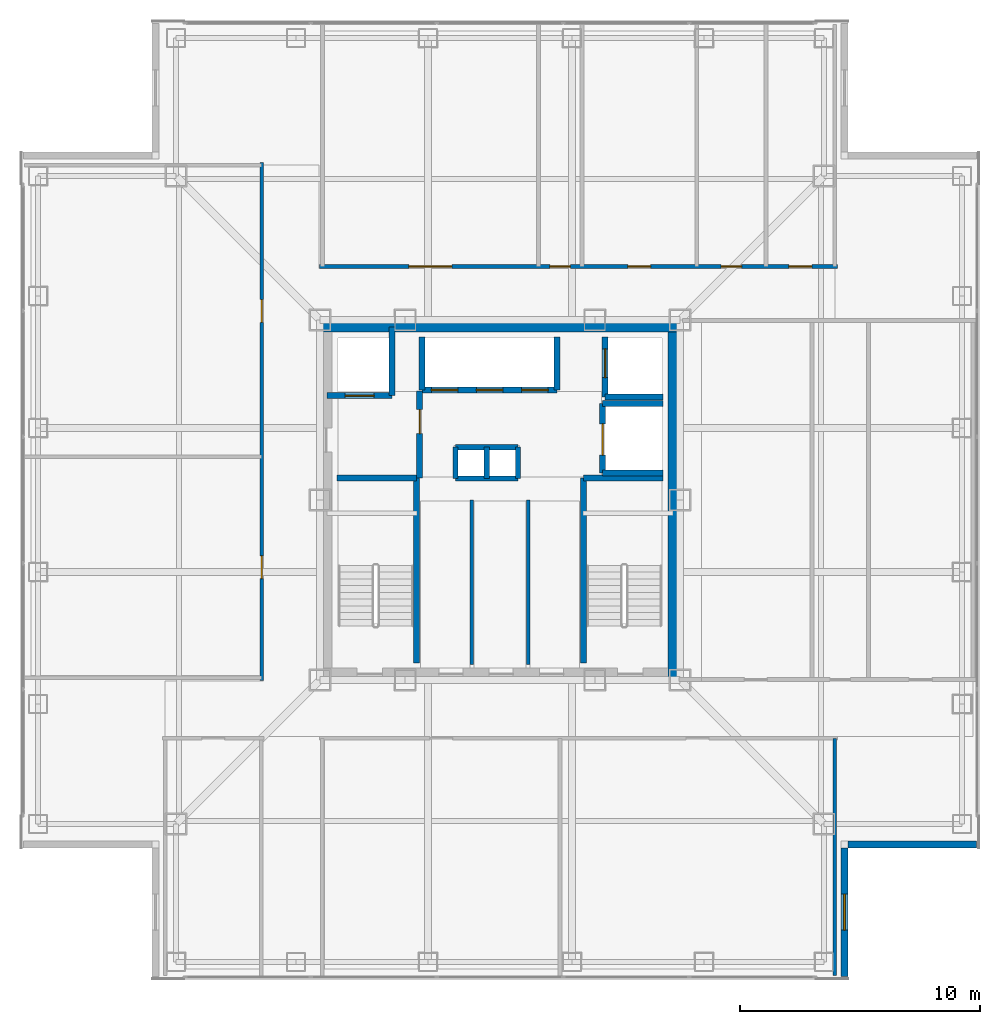
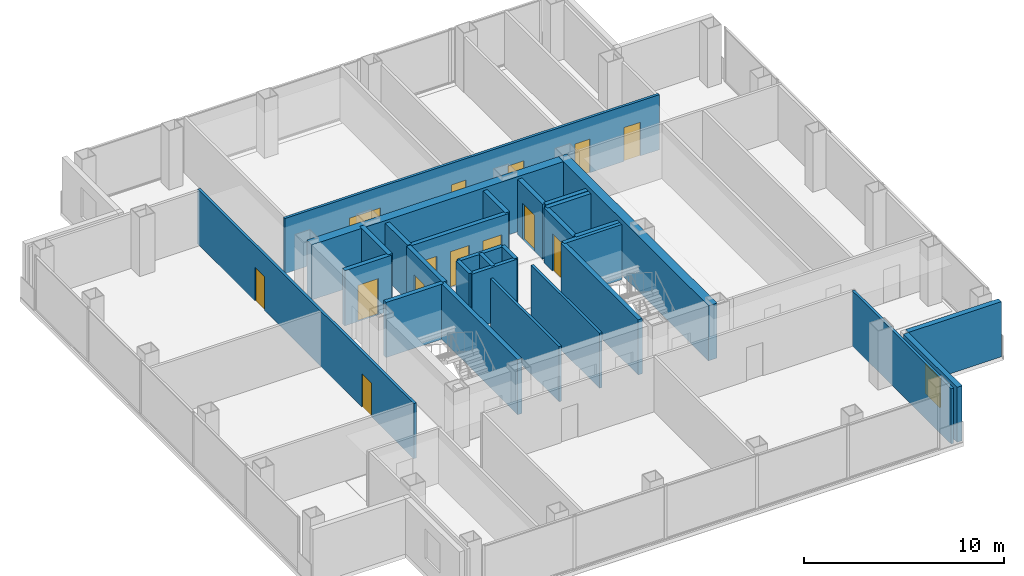
# One storey, part 11 of 18: 29 walls, 14 doors, 1 window, 15 openings.
"""IFC4 building model written with IfcOpenShell, lengths in metres."""

from ifc_helpers import new_model, si_unit, direction, frame, frame_2d, origin, place, context, subcontext, project, spatial, rectangle, extrude, material, layer, layer_set, type_object, element, fill, save


model = new_model("IFC4")

# Units and contexts
model_context = context("Model", 3, precision=1e-05, world=origin(), true_north=direction((0.0, 1.0)))
body_context = subcontext(model_context, "Body", "Model", "MODEL_VIEW")
ifc_project = project(units=[si_unit("LENGTHUNIT", "METRE"), si_unit("AREAUNIT", "SQUARE_METRE"), si_unit("VOLUMEUNIT", "CUBIC_METRE"), si_unit("PLANEANGLEUNIT", "RADIAN"), si_unit("MASSUNIT", "GRAM", prefix="KILO")], contexts=[model_context])

# Site, building, storey
site_placement = place(None, origin())
site = spatial("IfcSite", under=ifc_project, at=site_placement, CompositionType="ELEMENT")
building_placement = place(site_placement, origin())
building = spatial("IfcBuilding", under=site, at=building_placement, Name="Trevonay Congress Spire", CompositionType="ELEMENT")
storey_placement = place(building_placement, frame((0.0, 0.0, 220.199951171875)))
storey = spatial("IfcBuildingStorey", under=building, at=storey_placement, Name="L57", CompositionType="ELEMENT", Elevation=220.199951171875)

# Walls
ifc_material_1 = material(Name="Concrete C50/60", Category="concrete")
ifc_layer_1 = layer(ifc_material_1, 0.5, Name="Concrete C50/60")
ifc_layer_set_1 = layer_set([ifc_layer_1], Name="Concrete C50/60")
wall_type_1 = type_object("IfcWallType", Name="WAL-CORE-500", PredefinedType="SHEAR", material=ifc_layer_set_1)
for number, where, z_axis, x_axis, name in (
    (1, (-7.5, 7.25, 0.0), (0.0, 0.0, 1.0), (1.0, 0.0, 0.0), "L57 North structural core shear wall"),
    (2, (7.25, -7.5, 0.0), (0.0, 0.0, 1.0), (0.0, 1.0, 0.0), "L57 East structural core shear wall"),
):
    element("IfcWall", number, at=place(storey_placement, frame(where, z_axis=z_axis, x_axis=x_axis)), inside=storey, type_object=wall_type_1, Name=name, PredefinedType="SHEAR", context=body_context, shape_type="SweptSolid", body=[
        extrude(rectangle(XDim=15.0, YDim=0.5, at=frame_2d((7.5, 0.0))), origin(), (0.0, 0.0, 1.0), 3.360107421875),
    ])

# Wall, openings, doors
ifc_material_2 = material(Name="Concrete C40/50", Category="concrete")
ifc_layer_2 = layer(ifc_material_2, 0.14990234375, Name="Concrete C40/50")
ifc_layer_set_2 = layer_set([ifc_layer_2], Name="Concrete C40/50")
wall_type_2 = type_object("IfcWallType", Name="WAL-CORR-150", PredefinedType="PARTITIONING", material=ifc_layer_set_2)
wall_1_placement = place(storey_placement, frame((-9.929931640625, -7.52001953125, 0.0), z_axis=(0.0, 0.0, 1.0), x_axis=(0.0, 1.0, 0.0)))
wall_1 = element("IfcWall", 3, at=wall_1_placement, inside=storey, type_object=wall_type_2, Name="L57 interior wall WP-L57NW-COR", PredefinedType="PARTITIONING", context=body_context, shape_type="SweptSolid", body=[
    extrude(rectangle(XDim=21.590087890625, YDim=0.14990234375, at=frame_2d((10.794921875, 0.0))), origin(), (0.0, 0.0, 1.0), 3.360107421875),
])
opening_1_placement = place(wall_1_placement, frame((4.2451171875, 0.0, 0.0)))
opening_1 = element("IfcOpeningElement", 4, at=opening_1_placement, cuts=wall_1, Name="Opening D07", PredefinedType="OPENING", context=body_context, shape_type="SweptSolid", body=[
    extrude(rectangle(XDim=0.949951171875, YDim=2.06005859375, at=frame_2d((0.47509765625, 1.030029296875))), frame((0.0, 0.0849609375, 0.0), z_axis=(0.0, -1.0, 0.0), x_axis=(1.0, 0.0, 0.0)), (0.0, 0.0, 1.0), 0.169921875),
])
opening_2_placement = place(wall_1_placement, frame((14.919921875, 0.0, 0.0)))
opening_2 = element("IfcOpeningElement", 5, at=opening_2_placement, cuts=wall_1, Name="Opening D07", PredefinedType="OPENING", context=body_context, shape_type="SweptSolid", body=[
    extrude(rectangle(XDim=0.949951171875, YDim=2.06005859375, at=frame_2d((0.47509765625, 1.030029296875))), frame((0.0, 0.0849609375, 0.0), z_axis=(0.0, -1.0, 0.0), x_axis=(1.0, 0.0, 0.0)), (0.0, 0.0, 1.0), 0.169921875),
])
ifc_material_3 = material(Name="Pale Anodised Aluminium EN AW-6063-T6", Category="aluminium")
door_type_1 = type_object("IfcDoorType", Name="DOR-OFFICE-95", OperationType="NOTDEFINED", PredefinedType="DOOR", material=ifc_material_3)
door_1_placement = place(opening_1_placement, origin())
door_1 = element("IfcDoor", 6, at=door_1_placement, inside=storey, type_object=door_type_1, Name="L57 Architectural Stone Gallery Shop Door", OperationType="SINGLE_SWING_LEFT", OverallHeight=2.06005859375, OverallWidth=0.949951171875, PredefinedType="DOOR", context=body_context, shape_type="SweptSolid", body=[
    extrude(rectangle(XDim=0.949951171875, YDim=2.06005859375, at=frame_2d((0.47509765625, 1.030029296875))), frame((0.0, 0.02490234375, 0.0), z_axis=(0.0, -1.0, 0.0), x_axis=(1.0, 0.0, 0.0)), (0.0, 0.0, 1.0), 0.050048828125),
])
fill(opening_1, door_1)
door_2_placement = place(opening_2_placement, origin())
door_2 = element("IfcDoor", 7, at=door_2_placement, inside=storey, type_object=door_type_1, Name="L57 Marine Instruments Showroom Shop Door", OperationType="SINGLE_SWING_RIGHT", OverallHeight=2.06005859375, OverallWidth=0.949951171875, PredefinedType="DOOR", context=body_context, shape_type="SweptSolid", body=[
    extrude(rectangle(XDim=0.949951171875, YDim=2.06005859375, at=frame_2d((0.47509765625, 1.030029296875))), frame((0.0, 0.02490234375, 0.0), z_axis=(0.0, -1.0, 0.0), x_axis=(1.0, 0.0, 0.0)), (0.0, 0.0, 1.0), 0.050048828125),
])
fill(opening_2, door_2)

wall_2_placement = place(storey_placement, frame((-7.52001953125, 9.72998046875, 0.0), z_axis=(0.0, 0.0, 1.0), x_axis=(1.0, 0.0, 0.0)))
wall_2 = element("IfcWall", 8, at=wall_2_placement, inside=storey, type_object=wall_type_2, Name="L57 interior wall WP-L57N-COR", PredefinedType="PARTITIONING", context=body_context, shape_type="SweptSolid", body=[
    extrude(rectangle(XDim=21.590087890625, YDim=0.14990234375, at=frame_2d((10.794921875, 0.0))), origin(), (0.0, 0.0, 1.0), 3.360107421875),
])
opening_3_placement = place(wall_2_placement, frame((3.719970703125, 0.0, 0.0)))
opening_3 = element("IfcOpeningElement", 9, at=opening_3_placement, cuts=wall_2, Name="Opening D09", PredefinedType="OPENING", context=body_context, shape_type="SweptSolid", body=[
    extrude(rectangle(XDim=1.800048828125, YDim=2.080078125, at=frame_2d((0.89990234375, 1.0400390625))), frame((0.0, 0.0849609375, 0.0), z_axis=(0.0, -1.0, 0.0), x_axis=(1.0, 0.0, 0.0)), (0.0, 0.0, 1.0), 0.169921875),
])
opening_4_placement = place(wall_2_placement, frame((9.60009765625, 0.0, 0.0)))
opening_4 = element("IfcOpeningElement", 10, at=opening_4_placement, cuts=wall_2, Name="Opening D10", PredefinedType="OPENING", context=body_context, shape_type="SweptSolid", body=[
    extrude(rectangle(XDim=0.85009765625, YDim=2.050048828125, at=frame_2d((0.425048828125, 1.02490234375))), frame((0.0, 0.0849609375, 0.0), z_axis=(0.0, -1.0, 0.0), x_axis=(1.0, 0.0, 0.0)), (0.0, 0.0, 1.0), 0.169921875),
])
opening_5_placement = place(wall_2_placement, frame((12.85009765625, 0.0, 0.0)))
opening_5 = element("IfcOpeningElement", 11, at=opening_5_placement, cuts=wall_2, Name="Opening D07", PredefinedType="OPENING", context=body_context, shape_type="SweptSolid", body=[
    extrude(rectangle(XDim=0.949951171875, YDim=2.06005859375, at=frame_2d((0.47509765625, 1.030029296875))), frame((0.0, 0.0849609375, 0.0), z_axis=(0.0, -1.0, 0.0), x_axis=(1.0, 0.0, 0.0)), (0.0, 0.0, 1.0), 0.169921875),
])
opening_6_placement = place(wall_2_placement, frame((16.735107421875, 0.0, 0.0)))
opening_6 = element("IfcOpeningElement", 12, at=opening_6_placement, cuts=wall_2, Name="Opening D10", PredefinedType="OPENING", context=body_context, shape_type="SweptSolid", body=[
    extrude(rectangle(XDim=0.85009765625, YDim=2.050048828125, at=frame_2d((0.425048828125, 1.02490234375))), frame((0.0, 0.0849609375, 0.0), z_axis=(0.0, -1.0, 0.0), x_axis=(1.0, 0.0, 0.0)), (0.0, 0.0, 1.0), 0.169921875),
])
opening_7_placement = place(wall_2_placement, frame((19.56005859375, 0.0, 0.0)))
opening_7 = element("IfcOpeningElement", 13, at=opening_7_placement, cuts=wall_2, Name="Opening D07", PredefinedType="OPENING", context=body_context, shape_type="SweptSolid", body=[
    extrude(rectangle(XDim=0.949951171875, YDim=2.06005859375, at=frame_2d((0.47509765625, 1.030029296875))), frame((0.0, 0.0849609375, 0.0), z_axis=(0.0, -1.0, 0.0), x_axis=(1.0, 0.0, 0.0)), (0.0, 0.0, 1.0), 0.169921875),
])
door_type_2 = type_object("IfcDoorType", Name="DOR-CONF-DBL", OperationType="DOUBLE_DOOR_SINGLE_SWING", PredefinedType="DOOR", material=ifc_material_3)
door_3_placement = place(opening_3_placement, origin())
door_3 = element("IfcDoor", 14, at=door_3_placement, inside=storey, type_object=door_type_2, Name="L57 Showroom Cafe Restaurant Door", OperationType="DOUBLE_DOOR_SINGLE_SWING", OverallHeight=2.080078125, OverallWidth=1.800048828125, PredefinedType="DOOR", context=body_context, shape_type="SweptSolid", body=[
    extrude(rectangle(XDim=1.800048828125, YDim=2.080078125, at=frame_2d((0.89990234375, 1.0400390625))), frame((0.0, 0.02490234375, 0.0), z_axis=(0.0, -1.0, 0.0), x_axis=(1.0, 0.0, 0.0)), (0.0, 0.0, 1.0), 0.050048828125),
])
fill(opening_3, door_3)
door_4_placement = place(opening_5_placement, origin())
door_4 = element("IfcDoor", 15, at=door_4_placement, inside=storey, type_object=door_type_1, Name="L57 Floor Supplies and Copy Room Door", OperationType="SINGLE_SWING_RIGHT", OverallHeight=2.06005859375, OverallWidth=0.949951171875, PredefinedType="DOOR", context=body_context, shape_type="SweptSolid", body=[
    extrude(rectangle(XDim=0.949951171875, YDim=2.06005859375, at=frame_2d((0.47509765625, 1.030029296875))), frame((0.0, 0.02490234375, 0.0), z_axis=(0.0, -1.0, 0.0), x_axis=(1.0, 0.0, 0.0)), (0.0, 0.0, 1.0), 0.050048828125),
])
fill(opening_5, door_4)
door_5_placement = place(opening_7_placement, origin())
door_5 = element("IfcDoor", 16, at=door_5_placement, inside=storey, type_object=door_type_1, Name="L57 Floor Supplies and Copy Room Door", OperationType="SINGLE_SWING_RIGHT", OverallHeight=2.06005859375, OverallWidth=0.949951171875, PredefinedType="DOOR", context=body_context, shape_type="SweptSolid", body=[
    extrude(rectangle(XDim=0.949951171875, YDim=2.06005859375, at=frame_2d((0.47509765625, 1.030029296875))), frame((0.0, 0.02490234375, 0.0), z_axis=(0.0, -1.0, 0.0), x_axis=(1.0, 0.0, 0.0)), (0.0, 0.0, 1.0), 0.050048828125),
])
fill(opening_7, door_5)
door_type_3 = type_object("IfcDoorType", Name="DOR-WC-85", OperationType="NOTDEFINED", PredefinedType="DOOR", material=ifc_material_3)
door_6_placement = place(opening_4_placement, origin())
door_6 = element("IfcDoor", 17, at=door_6_placement, inside=storey, type_object=door_type_3, Name="L57 Accessible WC Door", OperationType="SINGLE_SWING_LEFT", OverallHeight=2.050048828125, OverallWidth=0.85009765625, PredefinedType="DOOR", context=body_context, shape_type="SweptSolid", body=[
    extrude(rectangle(XDim=0.85009765625, YDim=2.050048828125, at=frame_2d((0.425048828125, 1.02490234375))), frame((0.0, 0.02490234375, 0.0), z_axis=(0.0, -1.0, 0.0), x_axis=(1.0, 0.0, 0.0)), (0.0, 0.0, 1.0), 0.050048828125),
])
fill(opening_4, door_6)
door_7_placement = place(opening_6_placement, origin())
door_7 = element("IfcDoor", 18, at=door_7_placement, inside=storey, type_object=door_type_3, Name="L57 Female Restroom WC Door", OperationType="SINGLE_SWING_LEFT", OverallHeight=2.050048828125, OverallWidth=0.85009765625, PredefinedType="DOOR", context=body_context, shape_type="SweptSolid", body=[
    extrude(rectangle(XDim=0.85009765625, YDim=2.050048828125, at=frame_2d((0.425048828125, 1.02490234375))), frame((0.0, 0.02490234375, 0.0), z_axis=(0.0, -1.0, 0.0), x_axis=(1.0, 0.0, 0.0)), (0.0, 0.0, 1.0), 0.050048828125),
])
fill(opening_6, door_7)

# Wall, opening, window
ifc_material_4 = material(Name="Precast concrete C40/50", Category="concrete")
ifc_layer_3 = layer(ifc_material_4, 0.300048828125, Name="Precast concrete C40/50")
ifc_layer_set_3 = layer_set([ifc_layer_3], Name="Precast concrete C40/50")
wall_type_3 = type_object("IfcWallType", Name="WAL-EXT-PRECAST-300", PredefinedType="SOLIDWALL", material=ifc_layer_set_3)
wall_3_placement = place(storey_placement, frame((14.35009765625, -19.85009765625, 0.0), z_axis=(0.0, 0.0, 1.0), x_axis=(0.0, 1.0, 0.0)))
wall_3 = element("IfcWall", 19, at=wall_3_placement, inside=storey, type_object=wall_type_3, Name="L57 SE re-entrant notch exterior wall 1", PredefinedType="SOLIDWALL", context=body_context, shape_type="SweptSolid", body=[
    extrude(rectangle(XDim=5.35009765625, YDim=0.300048828125, at=frame_2d((2.675048828125, 0.0))), origin(), (0.0, 0.0, 1.0), 3.360107421875),
])
opening_8_placement = place(wall_3_placement, frame((1.925048828125, 0.0, 0.89990234375)))
opening_8 = element("IfcOpeningElement", 20, at=opening_8_placement, cuts=wall_3, Name="Opening WN03", PredefinedType="OPENING", context=body_context, shape_type="SweptSolid", body=[
    extrude(rectangle(XDim=1.5, YDim=1.800048828125, at=frame_2d((0.75, 0.89990234375))), frame((0.0, 0.16015625, 0.0), z_axis=(0.0, -1.0, 0.0), x_axis=(1.0, 0.0, 0.0)), (0.0, 0.0, 1.0), 0.320068359375),
])
ifc_material_5 = material(Name="Insulated Low-E Vision Glass IGU", Category="glass")
window_type = type_object("IfcWindowType", Name="WIN-NOTCH-150X180", PartitioningType="SINGLE_PANEL", PredefinedType="WINDOW", material=ifc_material_5)
window_placement = place(opening_8_placement, origin())
window = element("IfcWindow", 21, at=window_placement, inside=storey, type_object=window_type, Name="L57 SE corner notch window", OverallHeight=1.800048828125, OverallWidth=1.5, PartitioningType="SINGLE_PANEL", PredefinedType="WINDOW", context=body_context, shape_type="SweptSolid", body=[
    extrude(rectangle(XDim=1.5, YDim=1.800048828125, at=frame_2d((0.75, 0.89990234375))), frame((0.0, 0.030029296875, 0.0), z_axis=(0.0, -1.0, 0.0), x_axis=(1.0, 0.0, 0.0)), (0.0, 0.0, 1.0), 0.06005859375),
])
fill(opening_8, window)

# Walls
wall_4_placement = place(storey_placement, frame((19.85009765625, -14.35009765625, 0.0), z_axis=(0.0, 0.0, 1.0), x_axis=(-1.0, 0.0, 0.0)))
element("IfcWall", 22, at=wall_4_placement, inside=storey, type_object=wall_type_3, Name="L57 SE re-entrant notch exterior wall 2", PredefinedType="SOLIDWALL", context=body_context, shape_type="SweptSolid", body=[
    extrude(rectangle(XDim=5.35009765625, YDim=0.300048828125, at=frame_2d((2.675048828125, 0.0))), origin(), (0.0, 0.0, 1.0), 3.360107421875),
])
ifc_layer_4 = layer(ifc_material_2, 0.14990234375, Name="Concrete C40/50")
ifc_layer_set_4 = layer_set([ifc_layer_4], Name="Concrete C40/50")
wall_type_4 = type_object("IfcWallType", Name="WAL-PART-150", PredefinedType="PARTITIONING", material=ifc_layer_set_4)
for number, where, z_axis, x_axis, name in (
    (23, (-1.169921875, -6.85009765625, 0.0), (0.0, 0.0, 1.0), (0.0, 1.0, 0.0), "L57 interior wall CW-F2A-L57"),
    (24, (1.169921875, -6.85009765625, 0.0), (0.0, 0.0, 1.0), (0.0, 1.0, 0.0), "L57 interior wall CW-F2B-L57"),
):
    element("IfcWall", number, at=place(storey_placement, frame(where, z_axis=z_axis, x_axis=x_axis)), inside=storey, type_object=wall_type_4, Name=name, PredefinedType="PARTITIONING", context=body_context, shape_type="SweptSolid", body=[
        extrude(rectangle(XDim=6.85009765625, YDim=0.14990234375, at=frame_2d((3.425048828125, 0.0))), origin(), (0.0, 0.0, 1.0), 3.360107421875),
    ])
wall_5_placement = place(storey_placement, frame((13.949951171875, -19.820068359375, 0.0), z_axis=(0.0, 0.0, 1.0), x_axis=(0.0, 1.0, 0.0)))
element("IfcWall", 25, at=wall_5_placement, inside=storey, type_object=wall_type_4, Name="L57 interior wall WP-L57SE-DIV3", PredefinedType="PARTITIONING", context=body_context, shape_type="SweptSolid", body=[
    extrude(rectangle(XDim=9.89013671875, YDim=0.14990234375, at=frame_2d((4.945068359375, 0.0))), origin(), (0.0, 0.0, 1.0), 3.360107421875),
])
ifc_layer_5 = layer(ifc_material_2, 0.219970703125, Name="Concrete C40/50")
ifc_layer_set_5 = layer_set([ifc_layer_5], Name="Concrete C40/50")
wall_type_5 = type_object("IfcWallType", Name="WAL-SHAFT-220", PredefinedType="PARTITIONING", material=ifc_layer_set_5)
for number, where, z_axis, x_axis, name in (
    (26, (-1.85009765625, 2.199951171875, 0.0), (0.0, 0.0, 1.0), (1.0, 0.0, 0.0), "L57 interior shaft wall WSH-L57-RSR-N"),
    (27, (-1.85009765625, 0.89990234375, 0.0), (0.0, 0.0, 1.0), (1.0, 0.0, 0.0), "L57 interior shaft wall WSH-L57-RSR-S"),
):
    element("IfcWall", number, at=place(storey_placement, frame(where, z_axis=z_axis, x_axis=x_axis)), inside=storey, type_object=wall_type_5, Name=name, PredefinedType="PARTITIONING", context=body_context, shape_type="SweptSolid", body=[
        extrude(rectangle(XDim=2.60009765625, YDim=0.219970703125, at=frame_2d((1.300048828125, 0.0))), origin(), (0.0, 0.0, 1.0), 3.360107421875),
    ])
for number, where, z_axis, x_axis, name in (
    (28, (-0.550048828125, 0.89990234375, 0.0), (0.0, 0.0, 1.0), (0.0, 1.0, 0.0), "L57 interior shaft wall WSH-L57-RSR-M"),
    (29, (0.75, 0.89990234375, 0.0), (0.0, 0.0, 1.0), (0.0, 1.0, 0.0), "L57 interior shaft wall WSH-L57-RSR-E"),
    (30, (-1.85009765625, 0.89990234375, 0.0), (0.0, 0.0, 1.0), (0.0, 1.0, 0.0), "L57 interior shaft wall WSH-L57-RSR-W"),
):
    element("IfcWall", number, at=place(storey_placement, frame(where, z_axis=z_axis, x_axis=x_axis)), inside=storey, type_object=wall_type_5, Name=name, PredefinedType="PARTITIONING", context=body_context, shape_type="SweptSolid", body=[
        extrude(rectangle(XDim=1.300048828125, YDim=0.219970703125, at=frame_2d((0.64990234375, 0.0))), origin(), (0.0, 0.0, 1.0), 3.360107421875),
    ])

# Wall, openings, doors
ifc_layer_6 = layer(ifc_material_2, 0.25, Name="Concrete C40/50")
ifc_layer_set_6 = layer_set([ifc_layer_6], Name="Concrete C40/50")
wall_type_6 = type_object("IfcWallType", Name="WAL-SHAFT-250", PredefinedType="SHEAR", material=ifc_layer_set_6)
wall_6_placement = place(storey_placement, frame((-3.260009765625, 4.580078125, 0.0), z_axis=(0.0, 0.0, 1.0), x_axis=(1.0, 0.0, 0.0)))
wall_6 = element("IfcWall", 31, at=wall_6_placement, inside=storey, type_object=wall_type_6, Name="L57 interior shaft wall WSH-L57-B3-S", PredefinedType="SHEAR", context=body_context, shape_type="SweptSolid", body=[
    extrude(rectangle(XDim=5.639892578125, YDim=0.25, at=frame_2d((2.81982421875, 0.0))), origin(), (0.0, 0.0, 1.0), 3.360107421875),
])
opening_9_placement = place(wall_6_placement, frame((0.39990234375, 0.0, 0.0)))
opening_9 = element("IfcOpeningElement", 32, at=opening_9_placement, cuts=wall_6, Name="Opening LD03", PredefinedType="OPENING", context=body_context, shape_type="SweptSolid", body=[
    extrude(rectangle(XDim=1.10009765625, YDim=2.199951171875, at=frame_2d((0.550048828125, 1.10009765625))), frame((0.0, 0.135009765625, 0.0), z_axis=(0.0, -1.0, 0.0), x_axis=(1.0, 0.0, 0.0)), (0.0, 0.0, 1.0), 0.27001953125),
])
opening_10_placement = place(wall_6_placement, frame((2.280029296875, 0.0, 0.0)))
opening_10 = element("IfcOpeningElement", 33, at=opening_10_placement, cuts=wall_6, Name="Opening LD03", PredefinedType="OPENING", context=body_context, shape_type="SweptSolid", body=[
    extrude(rectangle(XDim=1.10009765625, YDim=2.199951171875, at=frame_2d((0.550048828125, 1.10009765625))), frame((0.0, 0.135009765625, 0.0), z_axis=(0.0, -1.0, 0.0), x_axis=(1.0, 0.0, 0.0)), (0.0, 0.0, 1.0), 0.27001953125),
])
opening_11_placement = place(wall_6_placement, frame((4.159912109375, 0.0, 0.0)))
opening_11 = element("IfcOpeningElement", 34, at=opening_11_placement, cuts=wall_6, Name="Opening LD03", PredefinedType="OPENING", context=body_context, shape_type="SweptSolid", body=[
    extrude(rectangle(XDim=1.10009765625, YDim=2.199951171875, at=frame_2d((0.550048828125, 1.10009765625))), frame((0.0, 0.135009765625, 0.0), z_axis=(0.0, -1.0, 0.0), x_axis=(1.0, 0.0, 0.0)), (0.0, 0.0, 1.0), 0.27001953125),
])
door_type_4 = type_object("IfcDoorType", Name="DOR-LIFT-LD03", OperationType="DOUBLE_DOOR_SLIDING", PredefinedType="DOOR", material=ifc_material_3)
door_8_placement = place(opening_9_placement, origin())
door_8 = element("IfcDoor", 35, at=door_8_placement, inside=storey, type_object=door_type_4, Name="L57 Passenger lift PL-07 landing door", OperationType="DOUBLE_DOOR_SLIDING", OverallHeight=2.199951171875, OverallWidth=1.10009765625, PredefinedType="DOOR", context=body_context, shape_type="SweptSolid", body=[
    extrude(rectangle(XDim=1.10009765625, YDim=2.199951171875, at=frame_2d((0.550048828125, 1.10009765625))), frame((0.0, 0.02490234375, 0.0), z_axis=(0.0, -1.0, 0.0), x_axis=(1.0, 0.0, 0.0)), (0.0, 0.0, 1.0), 0.050048828125),
])
fill(opening_9, door_8)
door_9_placement = place(opening_10_placement, origin())
door_9 = element("IfcDoor", 36, at=door_9_placement, inside=storey, type_object=door_type_4, Name="L57 Passenger lift PL-08 landing door", OperationType="DOUBLE_DOOR_SLIDING", OverallHeight=2.199951171875, OverallWidth=1.10009765625, PredefinedType="DOOR", context=body_context, shape_type="SweptSolid", body=[
    extrude(rectangle(XDim=1.10009765625, YDim=2.199951171875, at=frame_2d((0.550048828125, 1.10009765625))), frame((0.0, 0.02490234375, 0.0), z_axis=(0.0, -1.0, 0.0), x_axis=(1.0, 0.0, 0.0)), (0.0, 0.0, 1.0), 0.050048828125),
])
fill(opening_10, door_9)
door_10_placement = place(opening_11_placement, origin())
door_10 = element("IfcDoor", 37, at=door_10_placement, inside=storey, type_object=door_type_4, Name="L57 Passenger lift PL-09 landing door", OperationType="DOUBLE_DOOR_SLIDING", OverallHeight=2.199951171875, OverallWidth=1.10009765625, PredefinedType="DOOR", context=body_context, shape_type="SweptSolid", body=[
    extrude(rectangle(XDim=1.10009765625, YDim=2.199951171875, at=frame_2d((0.550048828125, 1.10009765625))), frame((0.0, 0.02490234375, 0.0), z_axis=(0.0, -1.0, 0.0), x_axis=(1.0, 0.0, 0.0)), (0.0, 0.0, 1.0), 0.050048828125),
])
fill(opening_11, door_10)

# Walls
for number, where, z_axis, x_axis, name in (
    (38, (-3.260009765625, 4.580078125, 0.0), (0.0, 0.0, 1.0), (0.0, 1.0, 0.0), "L57 interior shaft wall WSH-L57-B3-W"),
    (39, (2.3798828125, 4.580078125, 0.0), (0.0, 0.0, 1.0), (0.0, 1.0, 0.0), "L57 interior shaft wall WSH-L57-B3-E"),
):
    element("IfcWall", number, at=place(storey_placement, frame(where, z_axis=z_axis, x_axis=x_axis)), inside=storey, type_object=wall_type_6, Name=name, PredefinedType="SHEAR", context=body_context, shape_type="SweptSolid", body=[
        extrude(rectangle(XDim=2.219970703125, YDim=0.25, at=frame_2d((1.10986328125, 0.0))), origin(), (0.0, 0.0, 1.0), 3.360107421875),
    ])

# Wall, opening, door
wall_7_placement = place(storey_placement, frame((-7.199951171875, 4.35009765625, 0.0), z_axis=(0.0, 0.0, 1.0), x_axis=(1.0, 0.0, 0.0)))
wall_7 = element("IfcWall", 40, at=wall_7_placement, inside=storey, type_object=wall_type_6, Name="L57 interior shaft wall WSH-L57-FF1-S", PredefinedType="SHEAR", context=body_context, shape_type="SweptSolid", body=[
    extrude(rectangle(XDim=2.699951171875, YDim=0.25, at=frame_2d((1.35009765625, 0.0))), origin(), (0.0, 0.0, 1.0), 3.360107421875),
])
opening_12_placement = place(wall_7_placement, frame((0.75, 0.0, 0.0)))
opening_12 = element("IfcOpeningElement", 41, at=opening_12_placement, cuts=wall_7, Name="Opening LD04", PredefinedType="OPENING", context=body_context, shape_type="SweptSolid", body=[
    extrude(rectangle(XDim=1.199951171875, YDim=2.199951171875, at=frame_2d((0.60009765625, 1.10009765625))), frame((0.0, 0.135009765625, 0.0), z_axis=(0.0, -1.0, 0.0), x_axis=(1.0, 0.0, 0.0)), (0.0, 0.0, 1.0), 0.27001953125),
])
ifc_material_6 = material(Name="Steel ASTM A572 Grade 50", Category="steel")
door_type_5 = type_object("IfcDoorType", Name="DOR-LIFT-LD04", OperationType="DOUBLE_DOOR_SLIDING", PredefinedType="DOOR", material=ifc_material_6)
door_11_placement = place(opening_12_placement, origin())
door_11 = element("IfcDoor", 42, at=door_11_placement, inside=storey, type_object=door_type_5, Name="L57 Firefighting lift FFL-01 landing door", OperationType="DOUBLE_DOOR_SLIDING", OverallHeight=2.199951171875, OverallWidth=1.199951171875, PredefinedType="DOOR", context=body_context, shape_type="SweptSolid", body=[
    extrude(rectangle(XDim=1.199951171875, YDim=2.199951171875, at=frame_2d((0.60009765625, 1.10009765625))), frame((0.0, 0.02490234375, 0.0), z_axis=(0.0, -1.0, 0.0), x_axis=(1.0, 0.0, 0.0)), (0.0, 0.0, 1.0), 0.050048828125),
])
fill(opening_12, door_11)

# Walls
wall_8_placement = place(storey_placement, frame((-4.5, 4.35009765625, 0.0), z_axis=(0.0, 0.0, 1.0), x_axis=(0.0, 1.0, 0.0)))
element("IfcWall", 43, at=wall_8_placement, inside=storey, type_object=wall_type_6, Name="L57 interior shaft wall WSH-L57-FF1-E", PredefinedType="SHEAR", context=body_context, shape_type="SweptSolid", body=[
    extrude(rectangle(XDim=2.849853515625, YDim=0.25, at=frame_2d((1.4248046875, 0.0))), origin(), (0.0, 0.0, 1.0), 3.360107421875),
])
wall_9_placement = place(storey_placement, frame((4.3798828125, 4.300048828125, 0.0), z_axis=(0.0, 0.0, 1.0), x_axis=(1.0, 0.0, 0.0)))
element("IfcWall", 44, at=wall_9_placement, inside=storey, type_object=wall_type_6, Name="L57 interior shaft wall WSH-L57-FF2-S", PredefinedType="SHEAR", context=body_context, shape_type="SweptSolid", body=[
    extrude(rectangle(XDim=2.420166015625, YDim=0.25, at=frame_2d((1.2099609375, 0.0))), origin(), (0.0, 0.0, 1.0), 3.360107421875),
])

# Wall, opening, door
wall_10_placement = place(storey_placement, frame((4.3798828125, 4.300048828125, 0.0), z_axis=(0.0, 0.0, 1.0), x_axis=(0.0, 1.0, 0.0)))
wall_10 = element("IfcWall", 45, at=wall_10_placement, inside=storey, type_object=wall_type_6, Name="L57 interior shaft wall WSH-L57-FF2-W", PredefinedType="SHEAR", context=body_context, shape_type="SweptSolid", body=[
    extrude(rectangle(XDim=2.5, YDim=0.25, at=frame_2d((1.25, 0.0))), origin(), (0.0, 0.0, 1.0), 3.360107421875),
])
opening_13_placement = place(wall_10_placement, frame((0.800048828125, 0.0, 0.0)))
opening_13 = element("IfcOpeningElement", 46, at=opening_13_placement, cuts=wall_10, Name="Opening LD04", PredefinedType="OPENING", context=body_context, shape_type="SweptSolid", body=[
    extrude(rectangle(XDim=1.199951171875, YDim=2.199951171875, at=frame_2d((0.60009765625, 1.10009765625))), frame((0.0, 0.135009765625, 0.0), z_axis=(0.0, -1.0, 0.0), x_axis=(1.0, 0.0, 0.0)), (0.0, 0.0, 1.0), 0.27001953125),
])
door_12_placement = place(opening_13_placement, origin())
door_12 = element("IfcDoor", 47, at=door_12_placement, inside=storey, type_object=door_type_5, Name="L57 Firefighting lift FFL-02 landing door", OperationType="DOUBLE_DOOR_SLIDING", OverallHeight=2.199951171875, OverallWidth=1.199951171875, PredefinedType="DOOR", context=body_context, shape_type="SweptSolid", body=[
    extrude(rectangle(XDim=1.199951171875, YDim=2.199951171875, at=frame_2d((0.60009765625, 1.10009765625))), frame((0.0, 0.02490234375, 0.0), z_axis=(0.0, -1.0, 0.0), x_axis=(1.0, 0.0, 0.0)), (0.0, 0.0, 1.0), 0.050048828125),
])
fill(opening_13, door_12)

wall_11_placement = place(storey_placement, frame((4.280029296875, 1.1201171875, 0.0), z_axis=(0.0, 0.0, 1.0), x_axis=(0.0, 1.0, 0.0)))
wall_11 = element("IfcWall", 48, at=wall_11_placement, inside=storey, type_object=wall_type_6, Name="L57 interior shaft wall WSH-L57-SV-W", PredefinedType="SHEAR", context=body_context, shape_type="SweptSolid", body=[
    extrude(rectangle(XDim=2.89990234375, YDim=0.25, at=frame_2d((1.449951171875, 0.0))), origin(), (0.0, 0.0, 1.0), 3.360107421875),
])
opening_14_placement = place(wall_11_placement, frame((0.75, 0.0, 0.0)))
opening_14 = element("IfcOpeningElement", 49, at=opening_14_placement, cuts=wall_11, Name="Opening LD05", PredefinedType="OPENING", context=body_context, shape_type="SweptSolid", body=[
    extrude(rectangle(XDim=1.300048828125, YDim=2.300048828125, at=frame_2d((0.64990234375, 1.14990234375))), frame((0.0, 0.135009765625, 0.0), z_axis=(0.0, -1.0, 0.0), x_axis=(1.0, 0.0, 0.0)), (0.0, 0.0, 1.0), 0.27001953125),
])
door_type_6 = type_object("IfcDoorType", Name="DOR-LIFT-LD05", OperationType="DOUBLE_DOOR_SLIDING", PredefinedType="DOOR", material=ifc_material_6)
door_13_placement = place(opening_14_placement, origin())
door_13 = element("IfcDoor", 50, at=door_13_placement, inside=storey, type_object=door_type_6, Name="L57 Goods lift SVL-01 landing door", OperationType="DOUBLE_DOOR_SLIDING", OverallHeight=2.300048828125, OverallWidth=1.300048828125, PredefinedType="DOOR", context=body_context, shape_type="SweptSolid", body=[
    extrude(rectangle(XDim=1.300048828125, YDim=2.300048828125, at=frame_2d((0.64990234375, 1.14990234375))), frame((0.0, 0.02490234375, 0.0), z_axis=(0.0, -1.0, 0.0), x_axis=(1.0, 0.0, 0.0)), (0.0, 0.0, 1.0), 0.050048828125),
])
fill(opening_14, door_13)

# Walls
for number, where, z_axis, x_axis, name in (
    (51, (4.280029296875, 1.1201171875, 0.0), (0.0, 0.0, 1.0), (1.0, 0.0, 0.0), "L57 interior shaft wall WSH-L57-SV-S"),
    (52, (4.280029296875, 4.02001953125, 0.0), (0.0, 0.0, 1.0), (1.0, 0.0, 0.0), "L57 interior shaft wall WSH-L57-SV-N"),
):
    element("IfcWall", number, at=place(storey_placement, frame(where, z_axis=z_axis, x_axis=x_axis)), inside=storey, type_object=wall_type_6, Name=name, PredefinedType="SHEAR", context=body_context, shape_type="SweptSolid", body=[
        extrude(rectangle(XDim=2.52001953125, YDim=0.25, at=frame_2d((1.260009765625, 0.0))), origin(), (0.0, 0.0, 1.0), 3.360107421875),
    ])

# Wall, opening, door
wall_12_placement = place(storey_placement, frame((-3.35009765625, 0.919921875, 0.0), z_axis=(0.0, 0.0, 1.0), x_axis=(0.0, 1.0, 0.0)))
wall_12 = element("IfcWall", 53, at=wall_12_placement, inside=storey, type_object=wall_type_6, Name="L57 interior wall CW-FFLW-E-L57", PredefinedType="SHEAR", context=body_context, shape_type="SweptSolid", body=[
    extrude(rectangle(XDim=3.6201171875, YDim=0.25, at=frame_2d((1.81005859375, 0.0))), origin(), (0.0, 0.0, 1.0), 3.360107421875),
])
opening_15_placement = place(wall_12_placement, frame((1.85009765625, 0.0, 0.0)))
opening_15 = element("IfcOpeningElement", 54, at=opening_15_placement, cuts=wall_12, Name="Opening D06", PredefinedType="OPENING", context=body_context, shape_type="SweptSolid", body=[
    extrude(rectangle(XDim=1.0, YDim=2.080078125, at=frame_2d((0.5, 1.0400390625))), frame((0.0, 0.135009765625, 0.0), z_axis=(0.0, -1.0, 0.0), x_axis=(1.0, 0.0, 0.0)), (0.0, 0.0, 1.0), 0.27001953125),
])
door_type_7 = type_object("IfcDoorType", Name="DOR-FIRE-100", OperationType="NOTDEFINED", PredefinedType="DOOR", material=ifc_material_6)
door_14_placement = place(opening_15_placement, origin())
door_14 = element("IfcDoor", 55, at=door_14_placement, inside=storey, type_object=door_type_7, Name="L57 Firefighting Core Lobby Transfer Door", OperationType="SINGLE_SWING_LEFT", OverallHeight=2.080078125, OverallWidth=1.0, PredefinedType="DOOR", context=body_context, shape_type="SweptSolid", body=[
    extrude(rectangle(XDim=1.0, YDim=2.080078125, at=frame_2d((0.5, 1.0400390625))), frame((0.0, 0.02490234375, 0.0), z_axis=(0.0, -1.0, 0.0), x_axis=(1.0, 0.0, 0.0)), (0.0, 0.0, 1.0), 0.050048828125),
])
fill(opening_15, door_14)

# Walls
ifc_layer_7 = layer(ifc_material_2, 0.25, Name="Concrete C40/50")
ifc_layer_set_7 = layer_set([ifc_layer_7], Name="Concrete C40/50")
wall_type_7 = type_object("IfcWallType", Name="WAL-SHAFT-LB-250", PredefinedType="SHEAR", material=ifc_layer_set_7)
wall_13_placement = place(storey_placement, frame((-3.469970703125, -6.800048828125, 0.0), z_axis=(0.0, 0.0, 1.0), x_axis=(0.0, 1.0, 0.0)))
element("IfcWall", 56, at=wall_13_placement, inside=storey, type_object=wall_type_7, Name="L57 interior shaft wall WSH-L57-ST1-E", PredefinedType="SHEAR", context=body_context, shape_type="SweptSolid", body=[
    extrude(rectangle(XDim=7.719970703125, YDim=0.25, at=frame_2d((3.85986328125, 0.0))), origin(), (0.0, 0.0, 1.0), 3.360107421875),
])
wall_14_placement = place(storey_placement, frame((-6.800048828125, 0.919921875, 0.0), z_axis=(0.0, 0.0, 1.0), x_axis=(1.0, 0.0, 0.0)))
element("IfcWall", 57, at=wall_14_placement, inside=storey, type_object=wall_type_7, Name="L57 interior shaft wall WSH-L57-ST1-N", PredefinedType="SHEAR", context=body_context, shape_type="SweptSolid", body=[
    extrude(rectangle(XDim=3.330078125, YDim=0.25, at=frame_2d((1.6650390625, 0.0))), origin(), (0.0, 0.0, 1.0), 3.360107421875),
])
wall_15_placement = place(storey_placement, frame((3.469970703125, -6.800048828125, 0.0), z_axis=(0.0, 0.0, 1.0), x_axis=(0.0, 1.0, 0.0)))
element("IfcWall", 58, at=wall_15_placement, inside=storey, type_object=wall_type_7, Name="L57 interior shaft wall WSH-L57-ST2-W", PredefinedType="SHEAR", context=body_context, shape_type="SweptSolid", body=[
    extrude(rectangle(XDim=7.719970703125, YDim=0.25, at=frame_2d((3.85986328125, 0.0))), origin(), (0.0, 0.0, 1.0), 3.360107421875),
])
wall_16_placement = place(storey_placement, frame((3.469970703125, 0.919921875, 0.0), z_axis=(0.0, 0.0, 1.0), x_axis=(1.0, 0.0, 0.0)))
element("IfcWall", 59, at=wall_16_placement, inside=storey, type_object=wall_type_7, Name="L57 interior shaft wall WSH-L57-ST2-N", PredefinedType="SHEAR", context=body_context, shape_type="SweptSolid", body=[
    extrude(rectangle(XDim=3.330078125, YDim=0.25, at=frame_2d((1.6650390625, 0.0))), origin(), (0.0, 0.0, 1.0), 3.360107421875),
])

save(model, "model.ifc")
